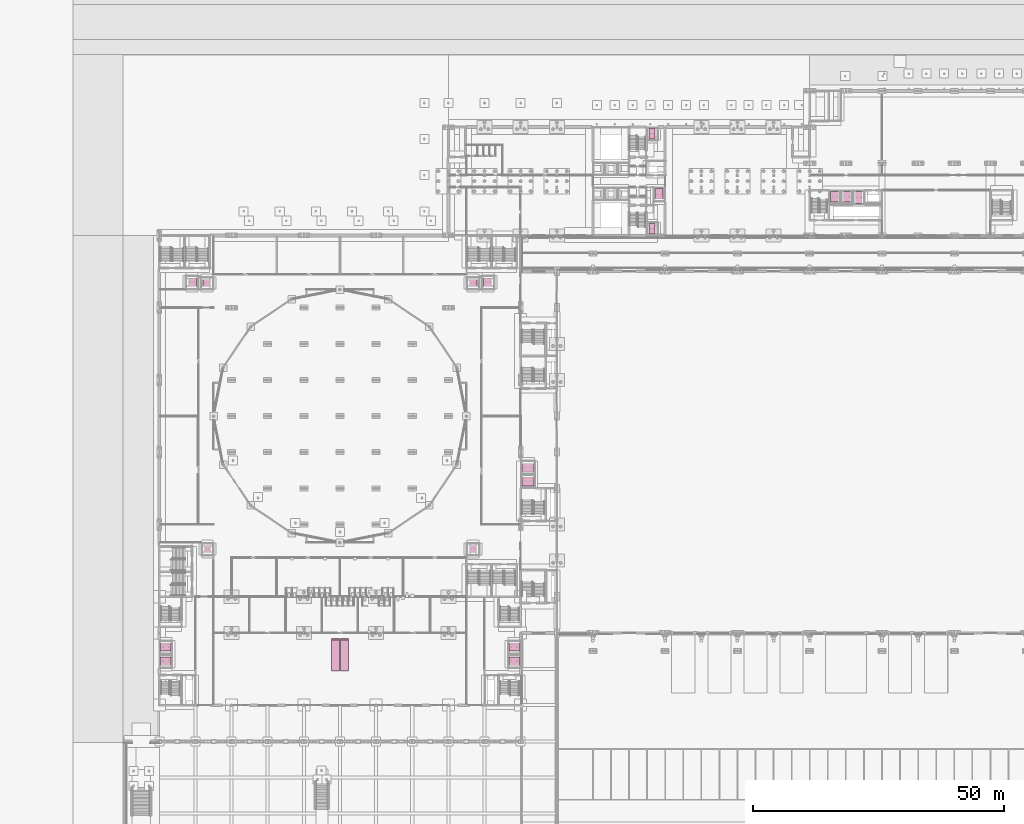
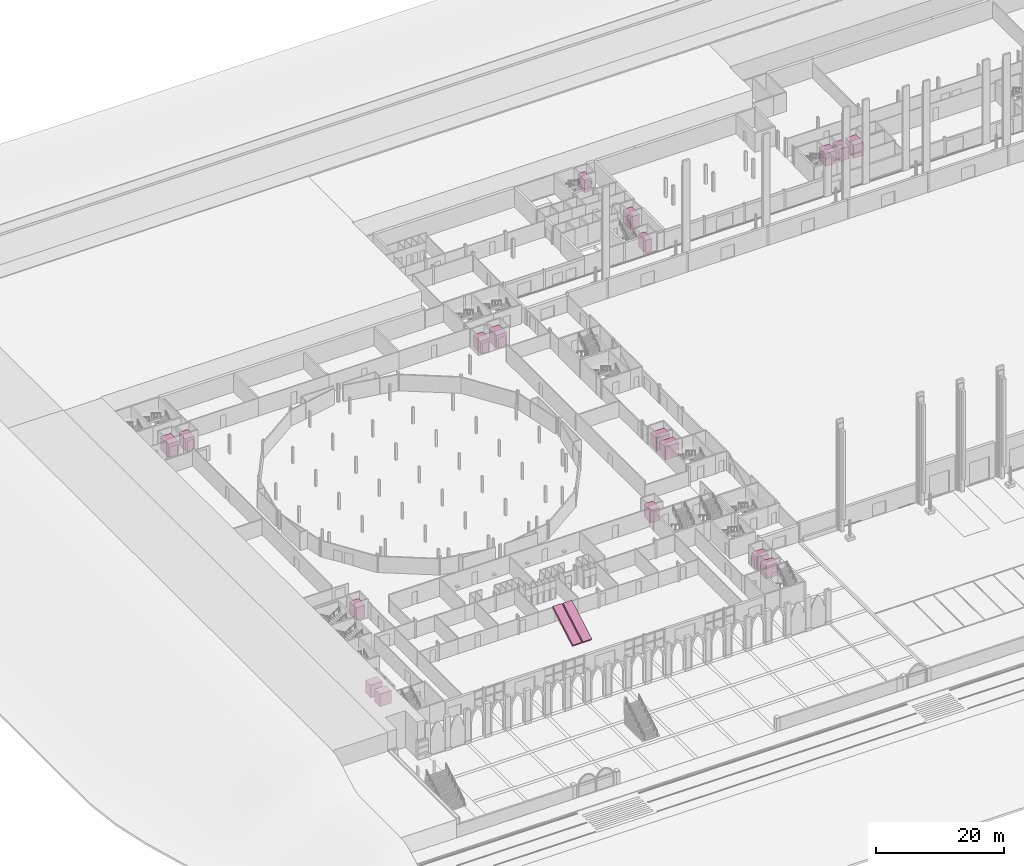
# One storey, part 148 of 148: 20 transport elements.
"""IFC4 building model written with IfcOpenShell, lengths in metres."""

from ifc_helpers import new_model, si_unit, direction, frame, origin, origin_2d, place, context, subcontext, project, spatial, polyline, rectangle, outline, extrude, material, type_object, element, save


model = new_model("IFC4")

# Units and contexts
model_context = context("Model", 3, precision=1e-05, world=origin(), true_north=direction((0.0, 1.0)))
body_context = subcontext(model_context, "Body", "Model", "MODEL_VIEW")
ifc_project = project(units=[si_unit("LENGTHUNIT", "METRE"), si_unit("AREAUNIT", "SQUARE_METRE"), si_unit("VOLUMEUNIT", "CUBIC_METRE"), si_unit("PLANEANGLEUNIT", "RADIAN"), si_unit("MASSUNIT", "GRAM", prefix="KILO")], contexts=[model_context])

# Site, building, storey
site_placement = place(None, origin())
site = spatial("IfcSite", under=ifc_project, at=site_placement, CompositionType="ELEMENT")
building_placement = place(site_placement, origin())
building = spatial("IfcBuilding", under=site, at=building_placement, Name="Kupolbacken Congress Centre", CompositionType="ELEMENT")
storey_placement = place(building_placement, origin())
storey = spatial("IfcBuildingStorey", under=building, at=storey_placement, Name="L00", CompositionType="ELEMENT", Elevation=0.0)

# Transport elements
ifc_material_1 = material(Name="Steel S355", Category="steel")
transport_element_type_1 = type_object("IfcTransportElementType", Name="ES1 escalator 1000", PredefinedType="ESCALATOR", material=ifc_material_1)
transport_element_1_placement = place(storey_placement, frame((41.5, 35.582275390625, 0.51953125), z_axis=(0.0, -0.500012057535, 0.866018442252), x_axis=(1.0, 0.0, 0.0)))
element("IfcTransportElement", 1, at=transport_element_1_placement, inside=storey, type_object=transport_element_type_1, Name="Escalator ES1", PredefinedType="ESCALATOR", context=body_context, shape_type="SweptSolid", body=[
    extrude(outline(polyline([(0.0, 0.0), (1.60009765625, 0.0), (1.60009765625, 7.200021683474845), (0.0, 7.200021683474845), (0.0, 0.0)])), origin(), (0.0, 0.0, -1.0), 0.449951171875),
])
transport_element_2_placement = place(storey_placement, frame((43.300048828125, 35.582275390625, 0.51953125), z_axis=(0.0, -0.500012057535, 0.866018442252), x_axis=(1.0, 0.0, 0.0)))
element("IfcTransportElement", 2, at=transport_element_2_placement, inside=storey, type_object=transport_element_type_1, Name="Escalator ES2", PredefinedType="ESCALATOR", context=body_context, shape_type="SweptSolid", body=[
    extrude(outline(polyline([(0.0, 0.0), (1.599853515625, 0.0), (1.599853515625, 7.200021683474845), (0.0, 7.200021683474845), (0.0, 0.0)])), origin(), (0.0, 0.0, -1.0), 0.449951171875),
])
ifc_material_2 = material(Name="Stainless steel lift car", Category="steel")
transport_element_type_2 = type_object("IfcTransportElementType", Name="LC1 passenger lift car 1600 x 2100", PredefinedType="ELEVATOR", material=ifc_material_2)
for number, where, z_axis, x_axis, name in (
    (3, (8.5, 37.550048828125, 0.0), (0.0, 0.0, 1.0), (1.0, 0.0, 0.0), "Lift car LP1"),
    (4, (8.5, 40.35009765625, 0.0), (0.0, 0.0, 1.0), (1.0, 0.0, 0.0), "Lift car LP2"),
    (5, (77.89990234375, 37.550048828125, 0.0), (0.0, 0.0, 1.0), (1.0, 0.0, 0.0), "Lift car LP3"),
    (6, (77.89990234375, 40.35009765625, 0.0), (0.0, 0.0, 1.0), (1.0, 0.0, 0.0), "Lift car LP4"),
):
    element("IfcTransportElement", number, at=place(storey_placement, frame(where, z_axis=z_axis, x_axis=x_axis)), inside=storey, type_object=transport_element_type_2, Name=name, PredefinedType="ELEVATOR", context=body_context, shape_type="SweptSolid", body=[
        extrude(rectangle(XDim=2.10009765625, YDim=1.60009765625, at=origin_2d()), origin(), (0.0, 0.0, 1.0), 2.39990234375),
    ])
for number, where, z_axis, x_axis, name in (
    (7, (16.800048828125, 59.89990234375, 0.0), (0.0, 0.0, 1.0), (1.0, 0.0, 0.0), "Lift car LP5"),
    (8, (69.699951171875, 59.89990234375, 0.0), (0.0, 0.0, 1.0), (1.0, 0.0, 0.0), "Lift car LP6"),
    (9, (16.699951171875, 112.89990234375, 0.0), (0.0, 0.0, 1.0), (1.0, 0.0, 0.0), "Lift car LP7"),
    (10, (69.699951171875, 112.89990234375, 0.0), (0.0, 0.0, 1.0), (1.0, 0.0, 0.0), "Lift car LP8"),
):
    element("IfcTransportElement", number, at=place(storey_placement, frame(where, z_axis=z_axis, x_axis=x_axis)), inside=storey, type_object=transport_element_type_2, Name=name, PredefinedType="ELEVATOR", context=body_context, shape_type="SweptSolid", body=[
        extrude(rectangle(XDim=1.60009765625, YDim=2.10009765625, at=origin_2d()), origin(), (0.0, 0.0, 1.0), 2.39990234375),
    ])
ifc_material_3 = material(Name="Stainless steel lift car", Category="steel")
transport_element_type_3 = type_object("IfcTransportElementType", Name="LC3 passenger lift car 1800 x 2100", PredefinedType="ELEVATOR", material=ifc_material_3)
for number, where, z_axis, x_axis, name in (
    (11, (141.800048828125, 130.10009765625, 0.0), (0.0, 0.0, 1.0), (1.0, 0.0, 0.0), "Lift car LP15"),
    (12, (144.199951171875, 130.10009765625, 0.0), (0.0, 0.0, 1.0), (1.0, 0.0, 0.0), "Lift car LP16"),
):
    element("IfcTransportElement", number, at=place(storey_placement, frame(where, z_axis=z_axis, x_axis=x_axis)), inside=storey, type_object=transport_element_type_3, Name=name, PredefinedType="ELEVATOR", context=body_context, shape_type="SweptSolid", body=[
        extrude(rectangle(XDim=1.800048828125, YDim=2.10009765625, at=origin_2d()), origin(), (0.0, 0.0, 1.0), 2.39990234375),
    ])
ifc_material_4 = material(Name="Stainless steel lift car", Category="steel")
transport_element_type_4 = type_object("IfcTransportElementType", Name="LC4 service lift car 1600 x 2400", PredefinedType="ELEVATOR", material=ifc_material_4)
transport_element_3_placement = place(storey_placement, frame((106.800048828125, 130.550048828125, 0.0), z_axis=(0.0, 0.0, 1.0), x_axis=(1.0, 0.0, 0.0)))
element("IfcTransportElement", 13, at=transport_element_3_placement, inside=storey, type_object=transport_element_type_4, Name="Lift car LV1", PredefinedType="ELEVATOR", context=body_context, shape_type="SweptSolid", body=[
    extrude(rectangle(XDim=1.60009765625, YDim=2.39990234375, at=origin_2d()), origin(), (0.0, 0.0, 1.0), 2.39990234375),
])
ifc_material_5 = material(Name="Stainless steel lift car", Category="steel")
transport_element_type_5 = type_object("IfcTransportElementType", Name="LC5 goods lift car 1800 x 2400", PredefinedType="ELEVATOR", material=ifc_material_5)
for number, where, z_axis, x_axis, name in (
    (14, (13.699951171875, 113.050048828125, 0.0), (0.0, 0.0, 1.0), (1.0, 0.0, 0.0), "Lift car LG1"),
    (15, (72.699951171875, 113.050048828125, 0.0), (0.0, 0.0, 1.0), (1.0, 0.0, 0.0), "Lift car LG2"),
):
    element("IfcTransportElement", number, at=place(storey_placement, frame(where, z_axis=z_axis, x_axis=x_axis)), inside=storey, type_object=transport_element_type_5, Name=name, PredefinedType="ELEVATOR", context=body_context, shape_type="SweptSolid", body=[
        extrude(rectangle(XDim=1.800048828125, YDim=2.39990234375, at=origin_2d()), origin(), (0.0, 0.0, 1.0), 2.5),
    ])
for number, where, z_axis, x_axis, name in (
    (16, (80.64990234375, 73.39990234375, 0.0), (0.0, 0.0, 1.0), (1.0, 0.0, 0.0), "Lift car LG3"),
    (17, (80.64990234375, 76.199951171875, 0.0), (0.0, 0.0, 1.0), (1.0, 0.0, 0.0), "Lift car LG4"),
):
    element("IfcTransportElement", number, at=place(storey_placement, frame(where, z_axis=z_axis, x_axis=x_axis)), inside=storey, type_object=transport_element_type_5, Name=name, PredefinedType="ELEVATOR", context=body_context, shape_type="SweptSolid", body=[
        extrude(rectangle(XDim=2.39990234375, YDim=1.800048828125, at=origin_2d()), origin(), (0.0, 0.0, 1.0), 2.5),
    ])
transport_element_4_placement = place(storey_placement, frame((146.60009765625, 129.949951171875, 0.0), z_axis=(0.0, 0.0, 1.0), x_axis=(1.0, 0.0, 0.0)))
element("IfcTransportElement", 18, at=transport_element_4_placement, inside=storey, type_object=transport_element_type_5, Name="Lift car LV2", PredefinedType="ELEVATOR", context=body_context, shape_type="SweptSolid", body=[
    extrude(rectangle(XDim=1.800048828125, YDim=2.39990234375, at=origin_2d()), origin(), (0.0, 0.0, 1.0), 2.5),
])
ifc_material_6 = material(Name="Stainless steel lift car", Category="steel")
transport_element_type_6 = type_object("IfcTransportElementType", Name="LC6 firefighting lift car 1200 x 2100", PredefinedType="ELEVATOR", material=ifc_material_6)
for number, where, z_axis, x_axis, name in (
    (19, (105.39990234375, 123.75, 0.0), (0.0, 0.0, 1.0), (1.0, 0.0, 0.0), "Lift car LF1"),
    (20, (105.39990234375, 142.64990234375, 0.0), (0.0, 0.0, 1.0), (1.0, 0.0, 0.0), "Lift car LF2"),
):
    element("IfcTransportElement", number, at=place(storey_placement, frame(where, z_axis=z_axis, x_axis=x_axis)), inside=storey, type_object=transport_element_type_6, Name=name, PredefinedType="ELEVATOR", context=body_context, shape_type="SweptSolid", body=[
        extrude(rectangle(XDim=1.199951171875, YDim=2.10009765625, at=origin_2d()), origin(), (0.0, 0.0, 1.0), 2.39990234375),
    ])

save(model, "model.ifc")
